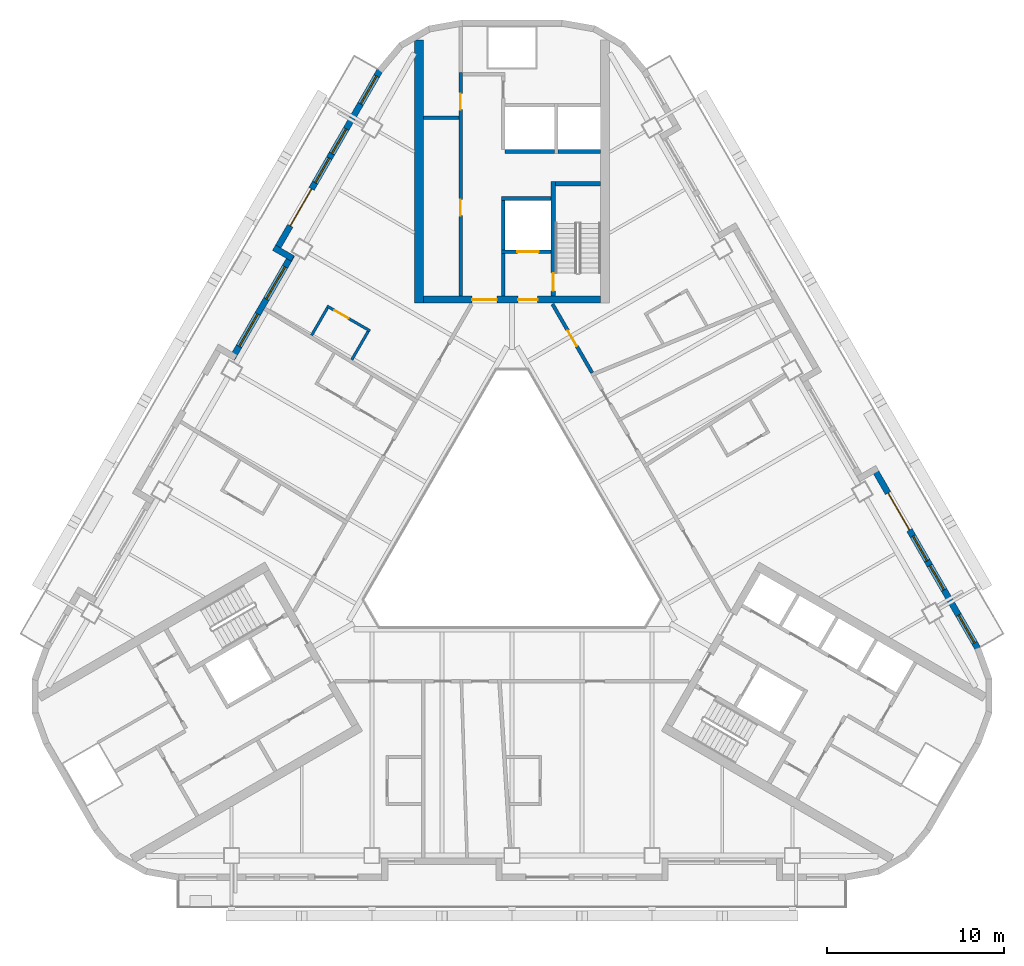
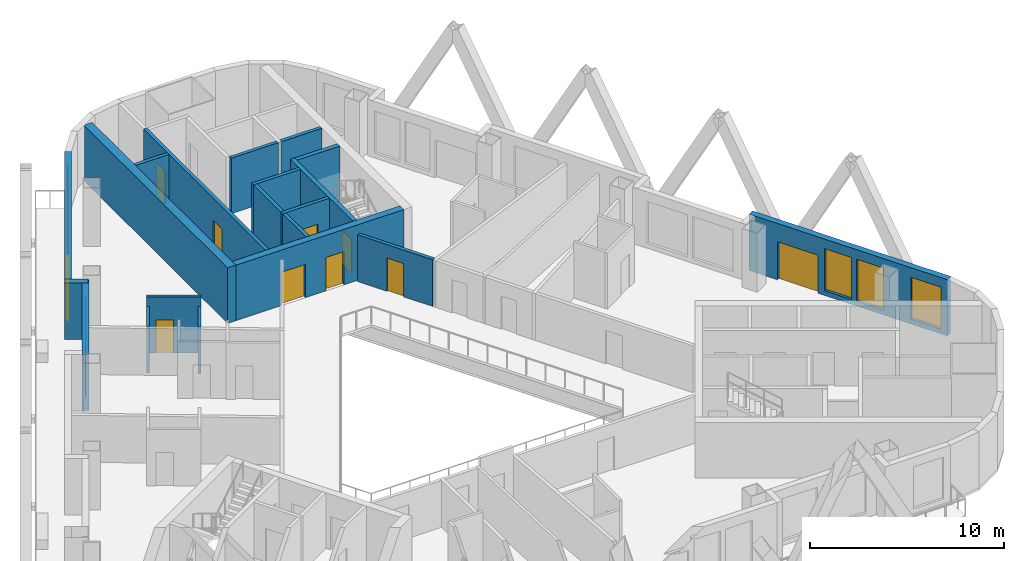
# One storey, part 6 of 13: 20 walls, 10 doors, 8 windows, 18 openings.
"""IFC4 building model written with IfcOpenShell, lengths in metres."""

from ifc_helpers import new_model, si_unit, direction, frame, frame_2d, origin, place, context, subcontext, project, spatial, rectangle, extrude, material, layer, layer_set, type_object, element, fill, save


model = new_model("IFC4")

# Units and contexts
model_context = context("Model", 3, precision=1e-05, world=origin(), true_north=direction((0.0, 1.0)))
body_context = subcontext(model_context, "Body", "Model", "MODEL_VIEW")
ifc_project = project(units=[si_unit("LENGTHUNIT", "METRE"), si_unit("AREAUNIT", "SQUARE_METRE"), si_unit("VOLUMEUNIT", "CUBIC_METRE"), si_unit("PLANEANGLEUNIT", "RADIAN"), si_unit("MASSUNIT", "GRAM", prefix="KILO")], contexts=[model_context])

# Site, building, storey
site_placement = place(None, origin())
site = spatial("IfcSite", under=ifc_project, at=site_placement, CompositionType="ELEMENT")
building_placement = place(site_placement, origin())
building = spatial("IfcBuilding", under=site, at=building_placement, Name="Apuvela Tower Hotel", CompositionType="ELEMENT")
storey_placement = place(building_placement, frame((0.0, 0.0, 105.699951171875)))
storey = spatial("IfcBuildingStorey", under=building, at=storey_placement, Name="L24", CompositionType="ELEMENT", Elevation=105.699951171875)

# Wall, openings, doors
ifc_material_1 = material(Name="Concrete C50/60", Category="concrete")
ifc_layer_1 = layer(ifc_material_1, 0.39990234375)
ifc_layer_set_1 = layer_set([ifc_layer_1], Name="COR-WALL-CORE-400")
wall_type_1 = type_object("IfcWallType", Name="COR-WALL-CORE-400", PredefinedType="SHEAR", material=ifc_layer_set_1)
wall_1_placement = place(storey_placement, frame((5.0, 13.10009765625, 0.0), z_axis=(0.0, 0.0, 1.0), x_axis=(-1.0, 0.0, 0.0)))
wall_1 = element("IfcWall", 1, at=wall_1_placement, inside=storey, type_object=wall_type_1, Name="Core wall N", PredefinedType="SHEAR", context=body_context, shape_type="SweptSolid", body=[
    extrude(rectangle(XDim=10.0, YDim=0.39990234375, at=frame_2d((5.0, 0.0))), origin(), (0.0, 0.0, 1.0), 3.5),
])
opening_1_placement = place(wall_1_placement, frame((3.550048828125, 0.0, 0.0)))
opening_1 = element("IfcOpeningElement", 2, at=opening_1_placement, cuts=wall_1, Name="Opening N-FD", PredefinedType="OPENING", context=body_context, shape_type="SweptSolid", body=[
    extrude(rectangle(XDim=1.10009765625, YDim=2.10009765625, at=frame_2d((0.550048828125, 1.050048828125))), frame((0.0, 0.2099609375, 0.0), z_axis=(0.0, -1.0, 0.0), x_axis=(1.0, 0.0, 0.0)), (0.0, 0.0, 1.0), 0.419921875),
])
opening_2_placement = place(wall_1_placement, frame((5.85009765625, 0.0, 0.0)))
opening_2 = element("IfcOpeningElement", 3, at=opening_2_placement, cuts=wall_1, Name="Opening N-GD", PredefinedType="OPENING", context=body_context, shape_type="SweptSolid", body=[
    extrude(rectangle(XDim=1.39990234375, YDim=2.10009765625, at=frame_2d((0.699951171875, 1.050048828125))), frame((0.0, 0.2099609375, 0.0), z_axis=(0.0, -1.0, 0.0), x_axis=(1.0, 0.0, 0.0)), (0.0, 0.0, 1.0), 0.419921875),
])
ifc_material_2 = material(Name="Steel fire door, powder coated", Category="steel")
door_type_1 = type_object("IfcDoorType", Name="COR-FD-1100", OperationType="NOTDEFINED", PredefinedType="DOOR", material=ifc_material_2)
door_1_placement = place(opening_1_placement, frame((1.10009765625, 0.0, 0.0), z_axis=(0.0, 0.0, 1.0), x_axis=(-1.0, 0.0, 0.0)))
door_1 = element("IfcDoor", 4, at=door_1_placement, inside=storey, type_object=door_type_1, Name="Firefighting lobby door N-FD", OperationType="SINGLE_SWING_LEFT", OverallHeight=2.10009765625, OverallWidth=1.10009765625, PredefinedType="DOOR", context=body_context, shape_type="SweptSolid", body=[
    extrude(rectangle(XDim=1.10009765625, YDim=2.10009765625, at=frame_2d((0.550048828125, 1.050048828125))), frame((0.0, 0.02490234375, 0.0), z_axis=(0.0, -1.0, 0.0), x_axis=(1.0, 0.0, 0.0)), (0.0, 0.0, 1.0), 0.050048828125),
])
fill(opening_1, door_1)
ifc_material_3 = material(Name="Glazed steel fire door", Category="steel")
door_type_2 = type_object("IfcDoorType", Name="COR-GD-1400", OperationType="DOUBLE_DOOR_SINGLE_SWING", PredefinedType="DOOR", material=ifc_material_3)
door_2_placement = place(opening_2_placement, frame((1.39990234375, 0.0, 0.0), z_axis=(0.0, 0.0, 1.0), x_axis=(-1.0, 0.0, 0.0)))
door_2 = element("IfcDoor", 5, at=door_2_placement, inside=storey, type_object=door_type_2, Name="Lift lobby door N-GD", OperationType="DOUBLE_DOOR_SINGLE_SWING", OverallHeight=2.10009765625, OverallWidth=1.39990234375, PredefinedType="DOOR", context=body_context, shape_type="SweptSolid", body=[
    extrude(rectangle(XDim=1.39990234375, YDim=2.10009765625, at=frame_2d((0.699951171875, 1.050048828125))), frame((0.0, 0.02490234375, 0.0), z_axis=(0.0, -1.0, 0.0), x_axis=(1.0, 0.0, 0.0)), (0.0, 0.0, 1.0), 0.050048828125),
])
fill(opening_2, door_2)

# Walls
ifc_layer_2 = layer(ifc_material_1, 0.5)
ifc_layer_set_2 = layer_set([ifc_layer_2], Name="COR-WALL-CORE-500")
wall_type_2 = type_object("IfcWallType", Name="COR-WALL-CORE-500", PredefinedType="SHEAR", material=ifc_layer_set_2)
wall_2_placement = place(storey_placement, frame((-5.25, 12.89990234375, 0.0), z_axis=(0.0, 0.0, 1.0), x_axis=(0.0, 1.0, 0.0)))
element("IfcWall", 6, at=wall_2_placement, inside=storey, type_object=wall_type_2, Name="Core wall N", PredefinedType="SHEAR", context=body_context, shape_type="SweptSolid", body=[
    extrude(rectangle(XDim=14.8369140625, YDim=0.5, at=frame_2d((7.41845703125, 0.0))), origin(), (0.0, 0.0, 1.0), 3.5),
])
ifc_material_4 = material(Name="Blockwork 200 mm plastered", Category="masonry")
ifc_layer_3 = layer(ifc_material_4, 0.199951171875)
ifc_layer_set_3 = layer_set([ifc_layer_3], Name="COR-WALL-PART-200")
wall_type_3 = type_object("IfcWallType", Name="COR-WALL-PART-200", PredefinedType="PARTITIONING", material=ifc_layer_set_3)
wall_3_placement = place(storey_placement, frame((5.0, 21.449951171875, 0.0), z_axis=(0.0, 0.0, 1.0), x_axis=(-1.0, 0.0, 0.0)))
element("IfcWall", 7, at=wall_3_placement, inside=storey, type_object=wall_type_3, Name="Partition N", PredefinedType="PARTITIONING", context=body_context, shape_type="SweptSolid", body=[
    extrude(rectangle(XDim=2.39990234375, YDim=0.199951171875, at=frame_2d((1.199951171875, 0.0))), origin(), (0.0, 0.0, 1.0), 3.5),
])
wall_4_placement = place(storey_placement, frame((2.39990234375, 21.449951171875, 0.0), z_axis=(0.0, 0.0, 1.0), x_axis=(-1.0, 0.0, 0.0)))
element("IfcWall", 8, at=wall_4_placement, inside=storey, type_object=wall_type_3, Name="Partition N", PredefinedType="PARTITIONING", context=body_context, shape_type="SweptSolid", body=[
    extrude(rectangle(XDim=2.7998046875, YDim=0.199951171875, at=frame_2d((1.39990234375, 0.0))), origin(), (0.0, 0.0, 1.0), 3.5),
])
ifc_layer_4 = layer(ifc_material_1, 0.199951171875)
ifc_layer_set_4 = layer_set([ifc_layer_4], Name="COR-WALL-SHAFT-200")
wall_type_4 = type_object("IfcWallType", Name="COR-WALL-SHAFT-200", PredefinedType="SHEAR", material=ifc_layer_set_4)
wall_5_placement = place(storey_placement, frame((2.199951171875, 18.800048828125, 0.0), z_axis=(0.0, 0.0, 1.0), x_axis=(-1.0, 0.0, 0.0)))
element("IfcWall", 9, at=wall_5_placement, inside=storey, type_object=wall_type_4, Name="Shaft wall N", PredefinedType="SHEAR", context=body_context, shape_type="SweptSolid", body=[
    extrude(rectangle(XDim=2.800048828125, YDim=0.199951171875, at=frame_2d((1.39990234375, 0.0))), origin(), (0.0, 0.0, 1.0), 3.5),
])

# Wall, opening, door
wall_6_placement = place(storey_placement, frame((2.199951171875, 15.800048828125, 0.0), z_axis=(0.0, 0.0, 1.0), x_axis=(-1.0, 0.0, 0.0)))
wall_6 = element("IfcWall", 10, at=wall_6_placement, inside=storey, type_object=wall_type_4, Name="Shaft wall N", PredefinedType="SHEAR", context=body_context, shape_type="SweptSolid", body=[
    extrude(rectangle(XDim=2.800048828125, YDim=0.199951171875, at=frame_2d((1.39990234375, 0.0))), origin(), (0.0, 0.0, 1.0), 3.5),
])
opening_3_placement = place(wall_6_placement, frame((0.699951171875, 0.0, 0.0)))
opening_3 = element("IfcOpeningElement", 11, at=opening_3_placement, cuts=wall_6, Name="Opening N-LD-FS1", PredefinedType="OPENING", context=body_context, shape_type="SweptSolid", body=[
    extrude(rectangle(XDim=1.199951171875, YDim=2.10009765625, at=frame_2d((0.60009765625, 1.050048828125))), frame((0.0, 0.10986328125, 0.0), z_axis=(0.0, -1.0, 0.0), x_axis=(1.0, 0.0, 0.0)), (0.0, 0.0, 1.0), 0.219970703125),
])
ifc_material_5 = material(Name="Stainless steel lift landing door", Category="steel")
door_type_3 = type_object("IfcDoorType", Name="COR-LD-1200", OperationType="DOUBLE_DOOR_SLIDING", PredefinedType="DOOR", material=ifc_material_5)
door_3_placement = place(opening_3_placement, origin())
door_3 = element("IfcDoor", 12, at=door_3_placement, inside=storey, type_object=door_type_3, Name="Lift landing door N-LD-FS1", OperationType="DOUBLE_DOOR_SLIDING", OverallHeight=2.10009765625, OverallWidth=1.199951171875, PredefinedType="DOOR", context=body_context, shape_type="SweptSolid", body=[
    extrude(rectangle(XDim=1.199951171875, YDim=2.10009765625, at=frame_2d((0.60009765625, 1.050048828125))), frame((0.0, 0.02490234375, 0.0), z_axis=(0.0, -1.0, 0.0), x_axis=(1.0, 0.0, 0.0)), (0.0, 0.0, 1.0), 0.050048828125),
])
fill(opening_3, door_3)

# Walls
wall_7_placement = place(storey_placement, frame((-0.5, 15.89990234375, 0.0), z_axis=(0.0, 0.0, 1.0), x_axis=(0.0, 1.0, 0.0)))
element("IfcWall", 13, at=wall_7_placement, inside=storey, type_object=wall_type_4, Name="Shaft wall N", PredefinedType="SHEAR", context=body_context, shape_type="SweptSolid", body=[
    extrude(rectangle(XDim=2.800048828125, YDim=0.199951171875, at=frame_2d((1.39990234375, 0.0))), origin(), (0.0, 0.0, 1.0), 3.5),
])
wall_8_placement = place(storey_placement, frame((-0.5, 13.300048828125, 0.0), z_axis=(0.0, 0.0, 1.0), x_axis=(0.0, 1.0, 0.0)))
element("IfcWall", 14, at=wall_8_placement, inside=storey, type_object=wall_type_4, Name="Shaft wall N", PredefinedType="SHEAR", context=body_context, shape_type="SweptSolid", body=[
    extrude(rectangle(XDim=2.39990234375, YDim=0.199951171875, at=frame_2d((1.199951171875, 0.0))), origin(), (0.0, 0.0, 1.0), 3.5),
])

# Wall, openings, doors
wall_9_placement = place(storey_placement, frame((-2.89990234375, 13.300048828125, 0.0), z_axis=(0.0, 0.0, 1.0), x_axis=(0.0, 1.0, 0.0)))
wall_9 = element("IfcWall", 15, at=wall_9_placement, inside=storey, type_object=wall_type_4, Name="Shaft wall N", PredefinedType="SHEAR", context=body_context, shape_type="SweptSolid", body=[
    extrude(rectangle(XDim=12.599853515625, YDim=0.199951171875, at=frame_2d((6.2998046875, 0.0))), origin(), (0.0, 0.0, 1.0), 3.5),
])
opening_4_placement = place(wall_9_placement, frame((4.530029296875, 0.0, 0.0)))
opening_4 = element("IfcOpeningElement", 16, at=opening_4_placement, cuts=wall_9, Name="Opening N-RE1", PredefinedType="OPENING", context=body_context, shape_type="SweptSolid", body=[
    extrude(rectangle(XDim=0.89990234375, YDim=2.10009765625, at=frame_2d((0.449951171875, 1.050048828125))), frame((0.0, 0.10986328125, 0.0), z_axis=(0.0, -1.0, 0.0), x_axis=(1.0, 0.0, 0.0)), (0.0, 0.0, 1.0), 0.219970703125),
])
opening_5_placement = place(wall_9_placement, frame((10.510009765625, 0.0, 0.0)))
opening_5 = element("IfcOpeningElement", 17, at=opening_5_placement, cuts=wall_9, Name="Opening N-REP", PredefinedType="OPENING", context=body_context, shape_type="SweptSolid", body=[
    extrude(rectangle(XDim=0.89990234375, YDim=2.10009765625, at=frame_2d((0.449951171875, 1.050048828125))), frame((0.0, 0.10986328125, 0.0), z_axis=(0.0, -1.0, 0.0), x_axis=(1.0, 0.0, 0.0)), (0.0, 0.0, 1.0), 0.219970703125),
])
door_type_4 = type_object("IfcDoorType", Name="COR-DR-900", OperationType="NOTDEFINED", PredefinedType="DOOR", material=ifc_material_2)
door_4_placement = place(opening_4_placement, origin())
door_4 = element("IfcDoor", 18, at=door_4_placement, inside=storey, type_object=door_type_4, Name="Store door N-RE1", OperationType="SINGLE_SWING_LEFT", OverallHeight=2.10009765625, OverallWidth=0.89990234375, PredefinedType="DOOR", context=body_context, shape_type="SweptSolid", body=[
    extrude(rectangle(XDim=0.89990234375, YDim=2.10009765625, at=frame_2d((0.449951171875, 1.050048828125))), frame((0.0, 0.02490234375, 0.0), z_axis=(0.0, -1.0, 0.0), x_axis=(1.0, 0.0, 0.0)), (0.0, 0.0, 1.0), 0.050048828125),
])
fill(opening_4, door_4)
door_5_placement = place(opening_5_placement, origin())
door_5 = element("IfcDoor", 19, at=door_5_placement, inside=storey, type_object=door_type_4, Name="Store door N-REP", OperationType="SINGLE_SWING_RIGHT", OverallHeight=2.10009765625, OverallWidth=0.89990234375, PredefinedType="DOOR", context=body_context, shape_type="SweptSolid", body=[
    extrude(rectangle(XDim=0.89990234375, YDim=2.10009765625, at=frame_2d((0.449951171875, 1.050048828125))), frame((0.0, 0.02490234375, 0.0), z_axis=(0.0, -1.0, 0.0), x_axis=(1.0, 0.0, 0.0)), (0.0, 0.0, 1.0), 0.050048828125),
])
fill(opening_5, door_5)

# Wall
wall_10_placement = place(storey_placement, frame((-3.0, 23.360107421875, 0.0), z_axis=(0.0, 0.0, 1.0), x_axis=(-1.0, 0.0, 0.0)))
element("IfcWall", 20, at=wall_10_placement, inside=storey, type_object=wall_type_4, Name="Shaft wall N", PredefinedType="SHEAR", context=body_context, shape_type="SweptSolid", body=[
    extrude(rectangle(XDim=2.0, YDim=0.199951171875, at=frame_2d((1.0, 0.0))), origin(), (0.0, 0.0, 1.0), 3.5),
])

# Wall, opening, door
ifc_layer_5 = layer(ifc_material_1, 0.25)
ifc_layer_set_5 = layer_set([ifc_layer_5], Name="COR-WALL-STAIR-250")
wall_type_5 = type_object("IfcWallType", Name="COR-WALL-STAIR-250", PredefinedType="SHEAR", material=ifc_layer_set_5)
wall_11_placement = place(storey_placement, frame((2.324951171875, 13.300048828125, 0.0), z_axis=(0.0, 0.0, 1.0), x_axis=(0.0, 1.0, 0.0)))
wall_11 = element("IfcWall", 21, at=wall_11_placement, inside=storey, type_object=wall_type_5, Name="Stair wall N", PredefinedType="SHEAR", context=body_context, shape_type="SweptSolid", body=[
    extrude(rectangle(XDim=6.449951171875, YDim=0.25, at=frame_2d((3.22509765625, 0.0))), origin(), (0.0, 0.0, 1.0), 3.5),
])
opening_6_placement = place(wall_11_placement, frame((0.300048828125, 0.0, 0.0)))
opening_6 = element("IfcOpeningElement", 22, at=opening_6_placement, cuts=wall_11, Name="Opening N-SD", PredefinedType="OPENING", context=body_context, shape_type="SweptSolid", body=[
    extrude(rectangle(XDim=1.0, YDim=2.10009765625, at=frame_2d((0.5, 1.050048828125))), frame((0.0, 0.135009765625, 0.0), z_axis=(0.0, -1.0, 0.0), x_axis=(1.0, 0.0, 0.0)), (0.0, 0.0, 1.0), 0.27001953125),
])
door_type_5 = type_object("IfcDoorType", Name="COR-SD-1000", OperationType="NOTDEFINED", PredefinedType="DOOR", material=ifc_material_2)
door_6_placement = place(opening_6_placement, frame((1.0, 0.0, 0.0), z_axis=(0.0, 0.0, 1.0), x_axis=(-1.0, 0.0, 0.0)))
door_6 = element("IfcDoor", 23, at=door_6_placement, inside=storey, type_object=door_type_5, Name="Stair door N-SD", OperationType="SINGLE_SWING_LEFT", OverallHeight=2.10009765625, OverallWidth=1.0, PredefinedType="DOOR", context=body_context, shape_type="SweptSolid", body=[
    extrude(rectangle(XDim=1.0, YDim=2.10009765625, at=frame_2d((0.5, 1.050048828125))), frame((0.0, 0.02490234375, 0.0), z_axis=(0.0, -1.0, 0.0), x_axis=(1.0, 0.0, 0.0)), (0.0, 0.0, 1.0), 0.050048828125),
])
fill(opening_6, door_6)

# Wall
wall_12_placement = place(storey_placement, frame((5.0, 19.625, 0.0), z_axis=(0.0, 0.0, 1.0), x_axis=(-1.0, 0.0, 0.0)))
element("IfcWall", 24, at=wall_12_placement, inside=storey, type_object=wall_type_5, Name="Stair wall N", PredefinedType="SHEAR", context=body_context, shape_type="SweptSolid", body=[
    extrude(rectangle(XDim=2.550048828125, YDim=0.25, at=frame_2d((1.27490234375, 0.0))), origin(), (0.0, 0.0, 1.0), 3.5),
])

# Wall, openings, door, windows
ifc_material_6 = material(Name="Concrete C40/50, dark pigmented precast panel", Category="concrete")
ifc_layer_6 = layer(ifc_material_6, 0.35009765625)
ifc_layer_set_6 = layer_set([ifc_layer_6], Name="ENV-WALL-350")
wall_type_6 = type_object("IfcWallType", Name="ENV-WALL-350", PredefinedType="SOLIDWALL", material=ifc_layer_set_6)
wall_13_placement = place(storey_placement, frame((-7.440673828125, 26.0224609375, 0.0), z_axis=(0.0, 0.0, 1.0), x_axis=(-0.499992533062, -0.86602971478, 0.0)))
wall_13 = element("IfcWall", 25, at=wall_13_placement, inside=storey, type_object=wall_type_6, Name="External wall L24-01", PredefinedType="SOLIDWALL", context=body_context, shape_type="SweptSolid", body=[
    extrude(rectangle(XDim=11.815673828125, YDim=0.35009765625, at=frame_2d((5.90771484375, 0.0))), origin(), (0.0, 0.0, 1.0), 3.550048828125),
])
opening_7_placement = place(wall_13_placement, frame((0.381103515625, 0.0, 0.300048828125)))
opening_7 = element("IfcOpeningElement", 26, at=opening_7_placement, cuts=wall_13, Name="Opening WN18", PredefinedType="OPENING", context=body_context, shape_type="SweptSolid", body=[
    extrude(rectangle(XDim=1.800048828125, YDim=2.64990234375, at=frame_2d((0.89990234375, 1.324951171875))), frame((0.0, 0.18505859375, 0.0), z_axis=(0.0, -1.0, 0.0), x_axis=(1.0, 0.0, 0.0)), (0.0, 0.0, 1.0), 0.3701171875),
])
opening_8_placement = place(wall_13_placement, frame((7.7158203125, 0.0, 0.0)))
opening_8 = element("IfcOpeningElement", 27, at=opening_8_placement, cuts=wall_13, Name="Opening BD24", PredefinedType="OPENING", context=body_context, shape_type="SweptSolid", body=[
    extrude(rectangle(XDim=2.39990234375, YDim=2.39990234375, at=frame_2d((1.199951171875, 1.199951171875))), frame((0.0, 0.18505859375, 0.0), z_axis=(0.0, -1.0, 0.0), x_axis=(1.0, 0.0, 0.0)), (0.0, 0.0, 1.0), 0.3701171875),
])
opening_9_placement = place(wall_13_placement, frame((3.815185546875, 0.0, 0.300048828125)))
opening_9 = element("IfcOpeningElement", 28, at=opening_9_placement, cuts=wall_13, Name="Opening WN16", PredefinedType="OPENING", context=body_context, shape_type="SweptSolid", body=[
    extrude(rectangle(XDim=1.60009765625, YDim=2.64990234375, at=frame_2d((0.800048828125, 1.324951171875))), frame((0.0, 0.18505859375, 0.0), z_axis=(0.0, -1.0, 0.0), x_axis=(1.0, 0.0, 0.0)), (0.0, 0.0, 1.0), 0.3701171875),
])
opening_10_placement = place(wall_13_placement, frame((5.715087890625, 0.0, 0.300048828125)))
opening_10 = element("IfcOpeningElement", 29, at=opening_10_placement, cuts=wall_13, Name="Opening WN16", PredefinedType="OPENING", context=body_context, shape_type="SweptSolid", body=[
    extrude(rectangle(XDim=1.60009765625, YDim=2.64990234375, at=frame_2d((0.800048828125, 1.324951171875))), frame((0.0, 0.18505859375, 0.0), z_axis=(0.0, -1.0, 0.0), x_axis=(1.0, 0.0, 0.0)), (0.0, 0.0, 1.0), 0.3701171875),
])
ifc_material_7 = material(Name="Aluminium 6063-T6, dark bronze anodised frame with dark tinted laminated glass", Category="aluminium")
door_type_6 = type_object("IfcDoorType", Name="ENV-DOOR-BALCONY-2400x2400", OperationType="SLIDING_TO_LEFT", PredefinedType="DOOR", material=ifc_material_7)
door_7_placement = place(opening_8_placement, frame((2.39990234375, 0.0, 0.0), z_axis=(0.0, 0.0, 1.0), x_axis=(-1.0, 0.0, 0.0)))
door_7 = element("IfcDoor", 30, at=door_7_placement, inside=storey, type_object=door_type_6, Name="Balcony door BD24", OperationType="SLIDING_TO_LEFT", OverallHeight=2.39990234375, OverallWidth=2.39990234375, PredefinedType="DOOR", context=body_context, shape_type="SweptSolid", body=[
    extrude(rectangle(XDim=2.39990234375, YDim=2.39990234375, at=frame_2d((1.199951171875, 1.199951171875))), frame((0.0, 0.02490234375, 0.0), z_axis=(0.0, -1.0, 0.0), x_axis=(1.0, 0.0, 0.0)), (0.0, 0.0, 1.0), 0.050048828125),
])
fill(opening_8, door_7)
ifc_material_8 = material(Name="Glass, dark tinted laminated insulated glazing unit", Category="glass")
window_type_1 = type_object("IfcWindowType", Name="ENV-WIN-1600x2650", PartitioningType="SINGLE_PANEL", PredefinedType="WINDOW", material=ifc_material_8)
window_1_placement = place(opening_9_placement, origin())
window_1 = element("IfcWindow", 31, at=window_1_placement, inside=storey, type_object=window_type_1, Name="Window WN16", OverallHeight=2.64990234375, OverallWidth=1.60009765625, PartitioningType="SINGLE_PANEL", PredefinedType="WINDOW", context=body_context, shape_type="SweptSolid", body=[
    extrude(rectangle(XDim=1.60009765625, YDim=2.64990234375, at=frame_2d((0.800048828125, 1.324951171875))), frame((0.0, 0.030029296875, 0.0), z_axis=(0.0, -1.0, 0.0), x_axis=(1.0, 0.0, 0.0)), (0.0, 0.0, 1.0), 0.06005859375),
])
fill(opening_9, window_1)
window_2_placement = place(opening_10_placement, origin())
window_2 = element("IfcWindow", 32, at=window_2_placement, inside=storey, type_object=window_type_1, Name="Window WN16", OverallHeight=2.64990234375, OverallWidth=1.60009765625, PartitioningType="SINGLE_PANEL", PredefinedType="WINDOW", context=body_context, shape_type="SweptSolid", body=[
    extrude(rectangle(XDim=1.60009765625, YDim=2.64990234375, at=frame_2d((0.800048828125, 1.324951171875))), frame((0.0, 0.030029296875, 0.0), z_axis=(0.0, -1.0, 0.0), x_axis=(1.0, 0.0, 0.0)), (0.0, 0.0, 1.0), 0.06005859375),
])
fill(opening_10, window_2)
window_type_2 = type_object("IfcWindowType", Name="ENV-WIN-1800x2650", PartitioningType="SINGLE_PANEL", PredefinedType="WINDOW", material=ifc_material_8)
window_3_placement = place(opening_7_placement, origin())
window_3 = element("IfcWindow", 33, at=window_3_placement, inside=storey, type_object=window_type_2, Name="Window WN18", OverallHeight=2.64990234375, OverallWidth=1.800048828125, PartitioningType="SINGLE_PANEL", PredefinedType="WINDOW", context=body_context, shape_type="SweptSolid", body=[
    extrude(rectangle(XDim=1.800048828125, YDim=2.64990234375, at=frame_2d((0.89990234375, 1.324951171875))), frame((0.0, 0.030029296875, 0.0), z_axis=(0.0, -1.0, 0.0), x_axis=(1.0, 0.0, 0.0)), (0.0, 0.0, 1.0), 0.06005859375),
])
fill(opening_7, window_3)

# Wall
wall_14_placement = place(storey_placement, frame((-13.41259765625, 16.02880859375, 0.0), z_axis=(0.0, 0.0, 1.0), x_axis=(0.866005645448, -0.500034220881, 0.0)))
element("IfcWall", 34, at=wall_14_placement, inside=storey, type_object=wall_type_6, Name="External wall L24-02", PredefinedType="SOLIDWALL", context=body_context, shape_type="SweptSolid", body=[
    extrude(rectangle(XDim=1.22021484375, YDim=0.35009765625, at=frame_2d((0.610107421875, 0.0))), origin(), (0.0, 0.0, 1.0), 3.550048828125),
])

# Wall, openings, windows
wall_15_placement = place(storey_placement, frame((-12.408935546875, 15.616943359375, 0.0), z_axis=(0.0, 0.0, 1.0), x_axis=(-0.500003597184, -0.866023326939, 0.0)))
wall_15 = element("IfcWall", 35, at=wall_15_placement, inside=storey, type_object=wall_type_6, Name="External wall L24-03", PredefinedType="SOLIDWALL", context=body_context, shape_type="SweptSolid", body=[
    extrude(rectangle(XDim=6.740234375, YDim=0.35009765625, at=frame_2d((3.3701171875, 0.0))), origin(), (0.0, 0.0, 1.0), 3.550048828125),
])
opening_11_placement = place(wall_15_placement, frame((0.77001953125, 0.0, 0.300048828125)))
opening_11 = element("IfcOpeningElement", 36, at=opening_11_placement, cuts=wall_15, Name="Opening WN21", PredefinedType="OPENING", context=body_context, shape_type="SweptSolid", body=[
    extrude(rectangle(XDim=2.10009765625, YDim=2.64990234375, at=frame_2d((1.050048828125, 1.324951171875))), frame((0.0, 0.18505859375, 0.0), z_axis=(0.0, -1.0, 0.0), x_axis=(1.0, 0.0, 0.0)), (0.0, 0.0, 1.0), 0.3701171875),
])
opening_12_placement = place(wall_15_placement, frame((3.84130859375, 0.0, 0.300048828125)))
opening_12 = element("IfcOpeningElement", 37, at=opening_12_placement, cuts=wall_15, Name="Opening WN21", PredefinedType="OPENING", context=body_context, shape_type="SweptSolid", body=[
    extrude(rectangle(XDim=2.10009765625, YDim=2.64990234375, at=frame_2d((1.050048828125, 1.324951171875))), frame((0.0, 0.18505859375, 0.0), z_axis=(0.0, -1.0, 0.0), x_axis=(1.0, 0.0, 0.0)), (0.0, 0.0, 1.0), 0.3701171875),
])
window_type_3 = type_object("IfcWindowType", Name="ENV-WIN-2100x2650", PartitioningType="SINGLE_PANEL", PredefinedType="WINDOW", material=ifc_material_8)
window_4_placement = place(opening_11_placement, origin())
window_4 = element("IfcWindow", 38, at=window_4_placement, inside=storey, type_object=window_type_3, Name="Window WN21", OverallHeight=2.64990234375, OverallWidth=2.10009765625, PartitioningType="SINGLE_PANEL", PredefinedType="WINDOW", context=body_context, shape_type="SweptSolid", body=[
    extrude(rectangle(XDim=2.10009765625, YDim=2.64990234375, at=frame_2d((1.050048828125, 1.324951171875))), frame((0.0, 0.030029296875, 0.0), z_axis=(0.0, -1.0, 0.0), x_axis=(1.0, 0.0, 0.0)), (0.0, 0.0, 1.0), 0.06005859375),
])
fill(opening_11, window_4)
window_5_placement = place(opening_12_placement, origin())
window_5 = element("IfcWindow", 39, at=window_5_placement, inside=storey, type_object=window_type_3, Name="Window WN21", OverallHeight=2.64990234375, OverallWidth=2.10009765625, PartitioningType="SINGLE_PANEL", PredefinedType="WINDOW", context=body_context, shape_type="SweptSolid", body=[
    extrude(rectangle(XDim=2.10009765625, YDim=2.64990234375, at=frame_2d((1.050048828125, 1.324951171875))), frame((0.0, 0.030029296875, 0.0), z_axis=(0.0, -1.0, 0.0), x_axis=(1.0, 0.0, 0.0)), (0.0, 0.0, 1.0), 0.06005859375),
])
fill(opening_12, window_5)

# Wall, openings, door, windows
wall_16_placement = place(storey_placement, frame((26.256591796875, -6.5673828125, 0.0), z_axis=(0.0, 0.0, 1.0), x_axis=(-0.500023526245, 0.866011820475, 0.0)))
wall_16 = element("IfcWall", 40, at=wall_16_placement, inside=storey, type_object=wall_type_6, Name="External wall L24-33", PredefinedType="SOLIDWALL", context=body_context, shape_type="SweptSolid", body=[
    extrude(rectangle(XDim=11.81591796875, YDim=0.35009765625, at=frame_2d((5.907958984375, 0.0))), origin(), (0.0, 0.0, 1.0), 3.550048828125),
])
opening_13_placement = place(wall_16_placement, frame((0.380126953125, 0.0, 0.300048828125)))
opening_13 = element("IfcOpeningElement", 41, at=opening_13_placement, cuts=wall_16, Name="Opening WN18", PredefinedType="OPENING", context=body_context, shape_type="SweptSolid", body=[
    extrude(rectangle(XDim=1.800048828125, YDim=2.64990234375, at=frame_2d((0.89990234375, 1.324951171875))), frame((0.0, 0.18505859375, 0.0), z_axis=(0.0, -1.0, 0.0), x_axis=(1.0, 0.0, 0.0)), (0.0, 0.0, 1.0), 0.3701171875),
])
opening_14_placement = place(wall_16_placement, frame((7.71630859375, 0.0, 0.0)))
opening_14 = element("IfcOpeningElement", 42, at=opening_14_placement, cuts=wall_16, Name="Opening BD24", PredefinedType="OPENING", context=body_context, shape_type="SweptSolid", body=[
    extrude(rectangle(XDim=2.39990234375, YDim=2.39990234375, at=frame_2d((1.199951171875, 1.199951171875))), frame((0.0, 0.18505859375, 0.0), z_axis=(0.0, -1.0, 0.0), x_axis=(1.0, 0.0, 0.0)), (0.0, 0.0, 1.0), 0.3701171875),
])
opening_15_placement = place(wall_16_placement, frame((3.81591796875, 0.0, 0.300048828125)))
opening_15 = element("IfcOpeningElement", 43, at=opening_15_placement, cuts=wall_16, Name="Opening WN16", PredefinedType="OPENING", context=body_context, shape_type="SweptSolid", body=[
    extrude(rectangle(XDim=1.60009765625, YDim=2.64990234375, at=frame_2d((0.800048828125, 1.324951171875))), frame((0.0, 0.18505859375, 0.0), z_axis=(0.0, -1.0, 0.0), x_axis=(1.0, 0.0, 0.0)), (0.0, 0.0, 1.0), 0.3701171875),
])
opening_16_placement = place(wall_16_placement, frame((5.7158203125, 0.0, 0.300048828125)))
opening_16 = element("IfcOpeningElement", 44, at=opening_16_placement, cuts=wall_16, Name="Opening WN16", PredefinedType="OPENING", context=body_context, shape_type="SweptSolid", body=[
    extrude(rectangle(XDim=1.60009765625, YDim=2.64990234375, at=frame_2d((0.800048828125, 1.324951171875))), frame((0.0, 0.18505859375, 0.0), z_axis=(0.0, -1.0, 0.0), x_axis=(1.0, 0.0, 0.0)), (0.0, 0.0, 1.0), 0.3701171875),
])
door_8_placement = place(opening_14_placement, frame((2.39990234375, 0.0, 0.0), z_axis=(0.0, 0.0, 1.0), x_axis=(-1.0, 0.0, 0.0)))
door_8 = element("IfcDoor", 45, at=door_8_placement, inside=storey, type_object=door_type_6, Name="Balcony door BD24", OperationType="SLIDING_TO_LEFT", OverallHeight=2.39990234375, OverallWidth=2.39990234375, PredefinedType="DOOR", context=body_context, shape_type="SweptSolid", body=[
    extrude(rectangle(XDim=2.39990234375, YDim=2.39990234375, at=frame_2d((1.199951171875, 1.199951171875))), frame((0.0, 0.02490234375, 0.0), z_axis=(0.0, -1.0, 0.0), x_axis=(1.0, 0.0, 0.0)), (0.0, 0.0, 1.0), 0.050048828125),
])
fill(opening_14, door_8)
window_6_placement = place(opening_15_placement, origin())
window_6 = element("IfcWindow", 46, at=window_6_placement, inside=storey, type_object=window_type_1, Name="Window WN16", OverallHeight=2.64990234375, OverallWidth=1.60009765625, PartitioningType="SINGLE_PANEL", PredefinedType="WINDOW", context=body_context, shape_type="SweptSolid", body=[
    extrude(rectangle(XDim=1.60009765625, YDim=2.64990234375, at=frame_2d((0.800048828125, 1.324951171875))), frame((0.0, 0.030029296875, 0.0), z_axis=(0.0, -1.0, 0.0), x_axis=(1.0, 0.0, 0.0)), (0.0, 0.0, 1.0), 0.06005859375),
])
fill(opening_15, window_6)
window_7_placement = place(opening_16_placement, origin())
window_7 = element("IfcWindow", 47, at=window_7_placement, inside=storey, type_object=window_type_1, Name="Window WN16", OverallHeight=2.64990234375, OverallWidth=1.60009765625, PartitioningType="SINGLE_PANEL", PredefinedType="WINDOW", context=body_context, shape_type="SweptSolid", body=[
    extrude(rectangle(XDim=1.60009765625, YDim=2.64990234375, at=frame_2d((0.800048828125, 1.324951171875))), frame((0.0, 0.030029296875, 0.0), z_axis=(0.0, -1.0, 0.0), x_axis=(1.0, 0.0, 0.0)), (0.0, 0.0, 1.0), 0.06005859375),
])
fill(opening_16, window_7)
window_8_placement = place(opening_13_placement, origin())
window_8 = element("IfcWindow", 48, at=window_8_placement, inside=storey, type_object=window_type_2, Name="Window WN18", OverallHeight=2.64990234375, OverallWidth=1.800048828125, PartitioningType="SINGLE_PANEL", PredefinedType="WINDOW", context=body_context, shape_type="SweptSolid", body=[
    extrude(rectangle(XDim=1.800048828125, YDim=2.64990234375, at=frame_2d((0.89990234375, 1.324951171875))), frame((0.0, 0.030029296875, 0.0), z_axis=(0.0, -1.0, 0.0), x_axis=(1.0, 0.0, 0.0)), (0.0, 0.0, 1.0), 0.06005859375),
])
fill(opening_13, window_8)

# Wall, opening, door
ifc_material_9 = material(Name="Gypsum board corridor wall on twin steel stud, acoustic", Category="steel")
ifc_layer_7 = layer(ifc_material_9, 0.199951171875)
ifc_layer_set_7 = layer_set([ifc_layer_7], Name="GST-PW2")
wall_type_7 = type_object("IfcWallType", Name="GST-PW2", PredefinedType="PARTITIONING", material=ifc_layer_set_7)
wall_17_placement = place(storey_placement, frame((2.280517578125, 12.85009765625, 0.0), z_axis=(0.0, 0.0, 1.0), x_axis=(0.499977539641, -0.866038370891, 0.0)))
wall_17 = element("IfcWall", 49, at=wall_17_placement, inside=storey, type_object=wall_type_7, Name="L24 partition 25", PredefinedType="PARTITIONING", context=body_context, shape_type="SweptSolid", body=[
    extrude(rectangle(XDim=4.473876953125, YDim=0.199951171875, at=frame_2d((2.23681640625, 0.0))), origin(), (0.0, 0.0, 1.0), 2.949951171875),
])
opening_17_placement = place(wall_17_placement, frame((1.73681640625, 0.0, 0.0)))
opening_17 = element("IfcOpeningElement", 50, at=opening_17_placement, cuts=wall_17, Name="Opening GD08-12", PredefinedType="OPENING", context=body_context, shape_type="SweptSolid", body=[
    extrude(rectangle(XDim=1.0, YDim=2.10009765625, at=frame_2d((0.5, 1.050048828125))), frame((0.0, 0.10986328125, 0.0), z_axis=(0.0, -1.0, 0.0), x_axis=(1.0, 0.0, 0.0)), (0.0, 0.0, 1.0), 0.219970703125),
])
ifc_material_10 = material(Name="Timber door leaf in steel frame", Category="steel")
door_type_7 = type_object("IfcDoorType", Name="GST-D1", OperationType="NOTDEFINED", PredefinedType="DOOR", material=ifc_material_10)
door_9_placement = place(opening_17_placement, origin())
door_9 = element("IfcDoor", 51, at=door_9_placement, inside=storey, type_object=door_type_7, Name="Door L24-12", OperationType="SINGLE_SWING_RIGHT", OverallHeight=2.10009765625, OverallWidth=1.0, PredefinedType="DOOR", context=body_context, shape_type="SweptSolid", body=[
    extrude(rectangle(XDim=1.0, YDim=2.10009765625, at=frame_2d((0.5, 1.050048828125))), frame((0.0, 0.02490234375, 0.0), z_axis=(0.0, -1.0, 0.0), x_axis=(1.0, 0.0, 0.0)), (0.0, 0.0, 1.0), 0.050048828125),
])
fill(opening_17, door_9)

ifc_material_11 = material(Name="Moisture-resistant gypsum board wet wall on steel stud", Category="steel")
ifc_layer_8 = layer(ifc_material_11, 0.14990234375)
ifc_layer_set_8 = layer_set([ifc_layer_8], Name="GST-PW3")
wall_type_8 = type_object("IfcWallType", Name="GST-PW3", PredefinedType="PARTITIONING", material=ifc_layer_set_8)
wall_18_placement = place(storey_placement, frame((-8.001953125, 11.34033203125, 0.0), z_axis=(0.0, 0.0, 1.0), x_axis=(-0.865996816683, 0.500049511043, 0.0)))
wall_18 = element("IfcWall", 52, at=wall_18_placement, inside=storey, type_object=wall_type_8, Name="L24 partition 30", PredefinedType="PARTITIONING", context=body_context, shape_type="SweptSolid", body=[
    extrude(rectangle(XDim=2.800048828125, YDim=0.14990234375, at=frame_2d((1.39990234375, 0.0))), origin(), (0.0, 0.0, 1.0), 3.550048828125),
])
opening_18_placement = place(wall_18_placement, frame((1.39990234375, 0.0, 0.0)))
opening_18 = element("IfcOpeningElement", 53, at=opening_18_placement, cuts=wall_18, Name="Opening GD08-13", PredefinedType="OPENING", context=body_context, shape_type="SweptSolid", body=[
    extrude(rectangle(XDim=0.89990234375, YDim=2.10009765625, at=frame_2d((0.449951171875, 1.050048828125))), frame((0.0, 0.0849609375, 0.0), z_axis=(0.0, -1.0, 0.0), x_axis=(1.0, 0.0, 0.0)), (0.0, 0.0, 1.0), 0.169921875),
])
door_type_8 = type_object("IfcDoorType", Name="GST-D2", OperationType="NOTDEFINED", PredefinedType="DOOR", material=ifc_material_10)
door_10_placement = place(opening_18_placement, origin())
door_10 = element("IfcDoor", 54, at=door_10_placement, inside=storey, type_object=door_type_8, Name="Door L24-13", OperationType="SINGLE_SWING_RIGHT", OverallHeight=2.10009765625, OverallWidth=0.89990234375, PredefinedType="DOOR", context=body_context, shape_type="SweptSolid", body=[
    extrude(rectangle(XDim=0.89990234375, YDim=2.10009765625, at=frame_2d((0.449951171875, 1.050048828125))), frame((0.0, 0.02490234375, 0.0), z_axis=(0.0, -1.0, 0.0), x_axis=(1.0, 0.0, 0.0)), (0.0, 0.0, 1.0), 0.050048828125),
])
fill(opening_18, door_10)

# Walls
wall_19_placement = place(storey_placement, frame((-10.3994140625, 12.637939453125, 0.0), z_axis=(0.0, 0.0, 1.0), x_axis=(-0.499974788625, -0.866039959089, 0.0)))
element("IfcWall", 55, at=wall_19_placement, inside=storey, type_object=wall_type_8, Name="L24 partition 31", PredefinedType="PARTITIONING", context=body_context, shape_type="SweptSolid", body=[
    extrude(rectangle(XDim=1.78662109375, YDim=0.14990234375, at=frame_2d((0.893310546875, 0.0))), origin(), (0.0, 0.0, 1.0), 2.949951171875),
])
wall_20_placement = place(storey_placement, frame((-8.104248046875, 11.31298828125, 0.0), z_axis=(0.0, 0.0, 1.0), x_axis=(-0.499989263917, -0.866031602176, 0.0)))
element("IfcWall", 56, at=wall_20_placement, inside=storey, type_object=wall_type_8, Name="L24 partition 32", PredefinedType="PARTITIONING", context=body_context, shape_type="SweptSolid", body=[
    extrude(rectangle(XDim=1.84814453125, YDim=0.14990234375, at=frame_2d((0.924072265625, 0.0))), origin(), (0.0, 0.0, 1.0), 2.949951171875),
])

save(model, "model.ifc")
